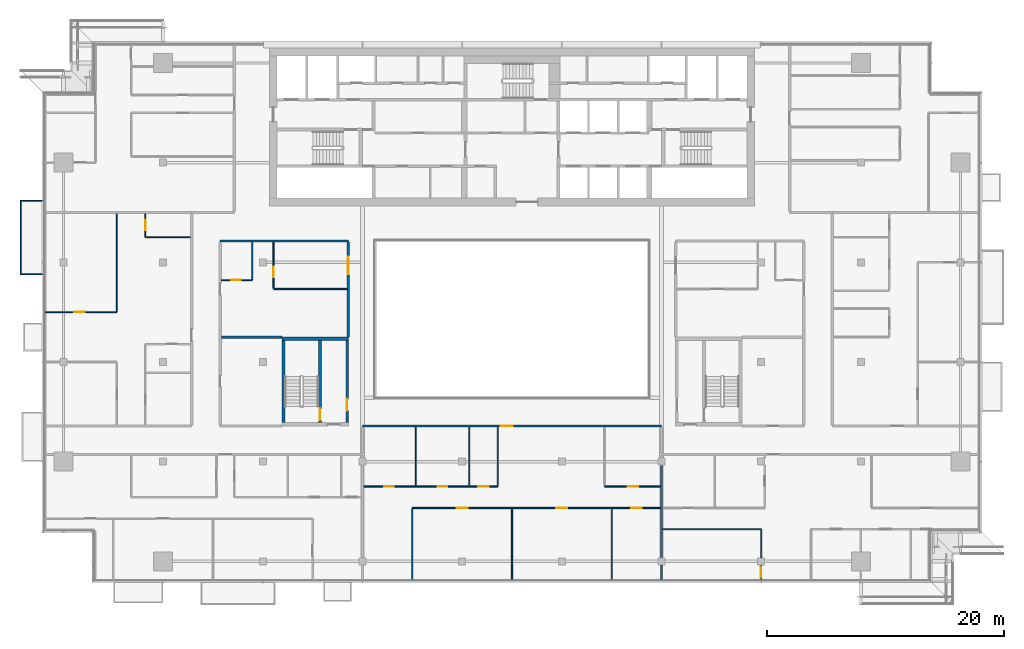
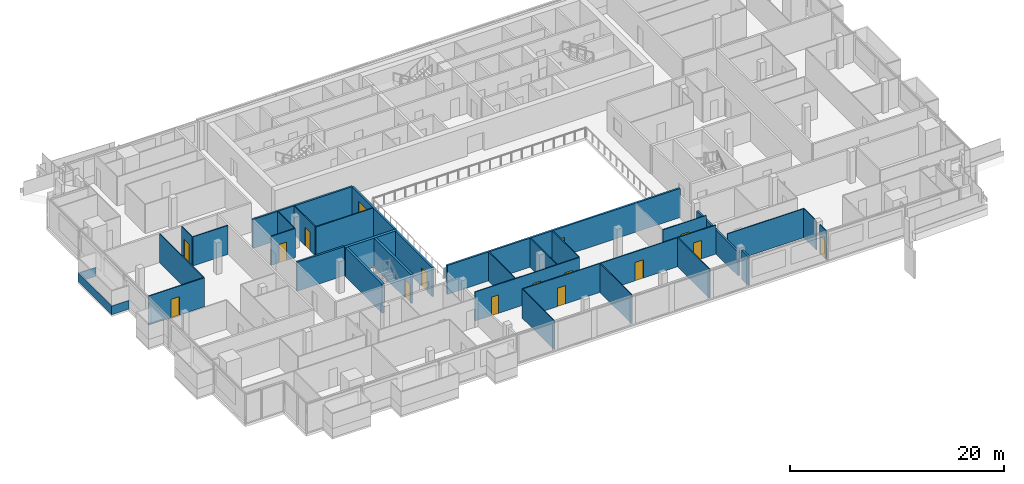
# One storey, part 18 of 30: 31 walls, 15 doors, 1 window, 16 openings.
"""IFC4 building model written with IfcOpenShell, lengths in metres."""

from ifc_helpers import new_model, si_unit, direction, frame, frame_2d, origin, place, context, subcontext, project, spatial, polyline, rectangle, outline, extrude, material, layer, layer_set, type_object, element, fill, save


model = new_model("IFC4")

# Units and contexts
model_context = context("Model", 3, precision=1e-05, world=origin(), true_north=direction((0.0, 1.0)))
body_context = subcontext(model_context, "Body", "Model", "MODEL_VIEW")
ifc_project = project(units=[si_unit("LENGTHUNIT", "METRE"), si_unit("AREAUNIT", "SQUARE_METRE"), si_unit("VOLUMEUNIT", "CUBIC_METRE"), si_unit("PLANEANGLEUNIT", "RADIAN"), si_unit("MASSUNIT", "GRAM", prefix="KILO")], contexts=[model_context])

# Site, building, storey
site_placement = place(None, origin())
site = spatial("IfcSite", under=ifc_project, at=site_placement, CompositionType="ELEMENT")
building_placement = place(site_placement, origin())
building = spatial("IfcBuilding", under=site, at=building_placement, Name="Saffron Gate Tower", CompositionType="ELEMENT")
storey_placement = place(building_placement, frame((0.0, 0.0, 216.300048828125)))
storey = spatial("IfcBuildingStorey", under=building, at=storey_placement, Name="L52", CompositionType="ELEMENT", Elevation=216.300048828125)

# Wall, opening, door
ifc_material_1 = material(Name="Gypsum board partition on steel studs", Category="steel")
ifc_layer_1 = layer(ifc_material_1, 0.199951171875)
ifc_layer_set_1 = layer_set([ifc_layer_1], Name="CW10 Core partition 200")
wall_type_1 = type_object("IfcWallType", Name="CW10 Core partition 200", PredefinedType="PARTITIONING", material=ifc_layer_set_1)
wall_1_placement = place(storey_placement, frame((73.699951171875, 43.5, 0.0), z_axis=(0.0, 0.0, 1.0), x_axis=(0.0, 1.0, 0.0)))
wall_1 = element("IfcWall", 1, at=wall_1_placement, inside=storey, type_object=wall_type_1, Name="Wall CW10-L52-D-4", PredefinedType="PARTITIONING", context=body_context, shape_type="SweptSolid", body=[
    extrude(rectangle(XDim=6.89990234375, YDim=0.199951171875, at=frame_2d((3.449951171875, 0.0))), origin(), (0.0, 0.0, 1.0), 3.320068359375),
])
opening_1_placement = place(wall_1_placement, frame((1.0, 0.0, 0.0)))
opening_1 = element("IfcOpeningElement", 2, at=opening_1_placement, cuts=wall_1, Name="Opening CR-19", PredefinedType="OPENING", context=body_context, shape_type="SweptSolid", body=[
    extrude(rectangle(XDim=1.0, YDim=2.10009765625, at=frame_2d((0.5, 1.050048828125))), frame((0.0, 0.10986328125, 0.0), z_axis=(0.0, -1.0, 0.0), x_axis=(1.0, 0.0, 0.0)), (0.0, 0.0, 1.0), 0.219970703125),
])
ifc_material_2 = material(Name="Steel fire door set", Category="steel")
door_type_1 = type_object("IfcDoorType", Name="CD4 Lobby door 1000x2100 EI 120", OperationType="NOTDEFINED", PredefinedType="DOOR", material=ifc_material_2)
door_1_placement = place(opening_1_placement, origin())
door_1 = element("IfcDoor", 3, at=door_1_placement, inside=storey, type_object=door_type_1, Name="DOOR CR-19", OperationType="SINGLE_SWING_RIGHT", OverallHeight=2.10009765625, OverallWidth=1.0, PredefinedType="DOOR", context=body_context, shape_type="SweptSolid", body=[
    extrude(rectangle(XDim=1.0, YDim=2.10009765625, at=frame_2d((0.5, 1.050048828125))), frame((0.0, 0.02490234375, 0.0), z_axis=(0.0, -1.0, 0.0), x_axis=(1.0, 0.0, 0.0)), (0.0, 0.0, 1.0), 0.050048828125),
])
fill(opening_1, door_1)

# Wall
ifc_material_3 = material(Name="Concrete C60", Category="concrete")
ifc_layer_2 = layer(ifc_material_3, 0.25)
ifc_layer_set_2 = layer_set([ifc_layer_2], Name="CW14 RC core wall 250 C60")
wall_type_2 = type_object("IfcWallType", Name="CW14 RC core wall 250 C60", PredefinedType="SOLIDWALL", material=ifc_layer_set_2)
wall_2_placement = place(storey_placement, frame((68.324951171875, 43.5, 0.0), z_axis=(0.0, 0.0, 1.0), x_axis=(0.0, 1.0, 0.0)))
element("IfcWall", 4, at=wall_2_placement, inside=storey, type_object=wall_type_2, Name="Wall CW14-L52-D-2", PredefinedType="SOLIDWALL", context=body_context, shape_type="SweptSolid", body=[
    extrude(rectangle(XDim=6.89990234375, YDim=0.25, at=frame_2d((3.449951171875, 0.0))), origin(), (0.0, 0.0, 1.0), 3.320068359375),
])

# Wall, opening, door
wall_3_placement = place(storey_placement, frame((71.425048828125, 43.5, 0.0), z_axis=(0.0, 0.0, 1.0), x_axis=(0.0, 1.0, 0.0)))
wall_3 = element("IfcWall", 5, at=wall_3_placement, inside=storey, type_object=wall_type_2, Name="Wall CW14-L52-D-3", PredefinedType="SOLIDWALL", context=body_context, shape_type="SweptSolid", body=[
    extrude(rectangle(XDim=6.89990234375, YDim=0.25, at=frame_2d((3.449951171875, 0.0))), origin(), (0.0, 0.0, 1.0), 3.320068359375),
])
opening_2_placement = place(wall_3_placement, frame((0.199951171875, 0.0, 0.0)))
opening_2 = element("IfcOpeningElement", 6, at=opening_2_placement, cuts=wall_3, Name="Opening CR-20", PredefinedType="OPENING", context=body_context, shape_type="SweptSolid", body=[
    extrude(rectangle(XDim=1.0, YDim=2.10009765625, at=frame_2d((0.5, 1.050048828125))), frame((0.0, 0.135009765625, 0.0), z_axis=(0.0, -1.0, 0.0), x_axis=(1.0, 0.0, 0.0)), (0.0, 0.0, 1.0), 0.27001953125),
])
door_type_2 = type_object("IfcDoorType", Name="CD5 Stair door 1000x2100 EI 120", OperationType="NOTDEFINED", PredefinedType="DOOR", material=ifc_material_2)
door_2_placement = place(opening_2_placement, origin())
door_2 = element("IfcDoor", 7, at=door_2_placement, inside=storey, type_object=door_type_2, Name="DOOR CR-20", OperationType="SINGLE_SWING_LEFT", OverallHeight=2.10009765625, OverallWidth=1.0, PredefinedType="DOOR", context=body_context, shape_type="SweptSolid", body=[
    extrude(rectangle(XDim=1.0, YDim=2.10009765625, at=frame_2d((0.5, 1.050048828125))), frame((0.0, 0.02490234375, 0.0), z_axis=(0.0, -1.0, 0.0), x_axis=(1.0, 0.0, 0.0)), (0.0, 0.0, 1.0), 0.050048828125),
])
fill(opening_2, door_2)

# Walls
ifc_layer_3 = layer(ifc_material_3, 0.300048828125)
ifc_layer_set_3 = layer_set([ifc_layer_3], Name="CW17 RC core wall 300 C60")
wall_type_3 = type_object("IfcWallType", Name="CW17 RC core wall 300 C60", PredefinedType="SOLIDWALL", material=ifc_layer_set_3)
wall_4_placement = place(storey_placement, frame((68.199951171875, 50.550048828125, 0.0), z_axis=(0.0, 0.0, 1.0), x_axis=(1.0, 0.0, 0.0)))
element("IfcWall", 8, at=wall_4_placement, inside=storey, type_object=wall_type_3, Name="Wall CW17-L52-D-5", PredefinedType="SOLIDWALL", context=body_context, shape_type="SweptSolid", body=[
    extrude(rectangle(XDim=5.60009765625, YDim=0.300048828125, at=frame_2d((2.800048828125, 0.0))), origin(), (0.0, 0.0, 1.0), 3.320068359375),
])
ifc_material_4 = material(Name="Plasterboard on steel studs", Category="steel")
ifc_layer_4 = layer(ifc_material_4, 0.10009765625)
ifc_layer_set_4 = layer_set([ifc_layer_4], Name="PW1 Partition 100")
wall_type_4 = type_object("IfcWallType", Name="PW1 Partition 100", PredefinedType="PARTITIONING", material=ifc_layer_set_4)
wall_5_placement = place(storey_placement, frame((100.300048828125, 34.5, 0.0), z_axis=(0.0, 0.0, 1.0), x_axis=(1.0, 0.0, 0.0)))
element("IfcWall", 9, at=wall_5_placement, inside=storey, type_object=wall_type_4, Name="Partition D2-1", PredefinedType="PARTITIONING", context=body_context, shape_type="SweptSolid", body=[
    extrude(rectangle(XDim=8.300048828125, YDim=0.10009765625, at=frame_2d((4.14990234375, 0.0))), origin(), (0.0, 0.0, 1.0), 3.320068359375),
])

# Wall, openings, doors
wall_6_placement = place(storey_placement, frame((75.10009765625, 38.10009765625, 0.0), z_axis=(0.0, 0.0, 1.0), x_axis=(1.0, 0.0, 0.0)))
wall_6 = element("IfcWall", 10, at=wall_6_placement, inside=storey, type_object=wall_type_4, Name="Partition D2-7", PredefinedType="PARTITIONING", context=body_context, shape_type="SweptSolid", body=[
    extrude(rectangle(XDim=11.2998046875, YDim=0.10009765625, at=frame_2d((5.64990234375, 0.0))), origin(), (0.0, 0.0, 1.0), 3.320068359375),
])
opening_3_placement = place(wall_6_placement, frame((1.75, 0.0, 0.0)))
opening_3 = element("IfcOpeningElement", 11, at=opening_3_placement, cuts=wall_6, Name="Opening D2-41", PredefinedType="OPENING", context=body_context, shape_type="SweptSolid", body=[
    extrude(rectangle(XDim=0.800048828125, YDim=2.10009765625, at=frame_2d((0.39990234375, 1.050048828125))), frame((0.0, 0.06005859375, 0.0), z_axis=(0.0, -1.0, 0.0), x_axis=(1.0, 0.0, 0.0)), (0.0, 0.0, 1.0), 0.1201171875),
])
opening_4_placement = place(wall_6_placement, frame((6.25, 0.0, 0.0)))
opening_4 = element("IfcOpeningElement", 12, at=opening_4_placement, cuts=wall_6, Name="Opening D2-42", PredefinedType="OPENING", context=body_context, shape_type="SweptSolid", body=[
    extrude(rectangle(XDim=0.800048828125, YDim=2.10009765625, at=frame_2d((0.39990234375, 1.050048828125))), frame((0.0, 0.06005859375, 0.0), z_axis=(0.0, -1.0, 0.0), x_axis=(1.0, 0.0, 0.0)), (0.0, 0.0, 1.0), 0.1201171875),
])
opening_5_placement = place(wall_6_placement, frame((9.64990234375, 0.0, 0.0)))
opening_5 = element("IfcOpeningElement", 13, at=opening_5_placement, cuts=wall_6, Name="Opening D2-19", PredefinedType="OPENING", context=body_context, shape_type="SweptSolid", body=[
    extrude(rectangle(XDim=0.89990234375, YDim=2.10009765625, at=frame_2d((0.449951171875, 1.050048828125))), frame((0.0, 0.06005859375, 0.0), z_axis=(0.0, -1.0, 0.0), x_axis=(1.0, 0.0, 0.0)), (0.0, 0.0, 1.0), 0.1201171875),
])
ifc_material_5 = material(Name="Timber door set", Category="wood")
door_type_3 = type_object("IfcDoorType", Name="RD1 Room door 900x2100", OperationType="NOTDEFINED", PredefinedType="DOOR", material=ifc_material_5)
door_3_placement = place(opening_5_placement, origin())
door_3 = element("IfcDoor", 14, at=door_3_placement, inside=storey, type_object=door_type_3, Name="Door D2-19", OperationType="SINGLE_SWING_RIGHT", OverallHeight=2.10009765625, OverallWidth=0.89990234375, PredefinedType="DOOR", context=body_context, shape_type="SweptSolid", body=[
    extrude(rectangle(XDim=0.89990234375, YDim=2.10009765625, at=frame_2d((0.449951171875, 1.050048828125))), frame((0.0, 0.02490234375, 0.0), z_axis=(0.0, -1.0, 0.0), x_axis=(1.0, 0.0, 0.0)), (0.0, 0.0, 1.0), 0.050048828125),
])
fill(opening_5, door_3)
door_type_4 = type_object("IfcDoorType", Name="RD2 Bathroom door 800x2100", OperationType="NOTDEFINED", PredefinedType="DOOR", material=ifc_material_5)
door_4_placement = place(opening_3_placement, origin())
door_4 = element("IfcDoor", 15, at=door_4_placement, inside=storey, type_object=door_type_4, Name="Door D2-41", OperationType="SINGLE_SWING_LEFT", OverallHeight=2.10009765625, OverallWidth=0.800048828125, PredefinedType="DOOR", context=body_context, shape_type="SweptSolid", body=[
    extrude(rectangle(XDim=0.800048828125, YDim=2.10009765625, at=frame_2d((0.39990234375, 1.050048828125))), frame((0.0, 0.02490234375, 0.0), z_axis=(0.0, -1.0, 0.0), x_axis=(1.0, 0.0, 0.0)), (0.0, 0.0, 1.0), 0.050048828125),
])
fill(opening_3, door_4)
door_5_placement = place(opening_4_placement, origin())
door_5 = element("IfcDoor", 16, at=door_5_placement, inside=storey, type_object=door_type_4, Name="Door D2-42", OperationType="SINGLE_SWING_LEFT", OverallHeight=2.10009765625, OverallWidth=0.800048828125, PredefinedType="DOOR", context=body_context, shape_type="SweptSolid", body=[
    extrude(rectangle(XDim=0.800048828125, YDim=2.10009765625, at=frame_2d((0.39990234375, 1.050048828125))), frame((0.0, 0.02490234375, 0.0), z_axis=(0.0, -1.0, 0.0), x_axis=(1.0, 0.0, 0.0)), (0.0, 0.0, 1.0), 0.050048828125),
])
fill(opening_4, door_5)

# Wall, opening, door
wall_7_placement = place(storey_placement, frame((95.39990234375, 38.10009765625, 0.0), z_axis=(0.0, 0.0, 1.0), x_axis=(1.0, 0.0, 0.0)))
wall_7 = element("IfcWall", 17, at=wall_7_placement, inside=storey, type_object=wall_type_4, Name="Partition D2-8", PredefinedType="PARTITIONING", context=body_context, shape_type="SweptSolid", body=[
    extrude(rectangle(XDim=4.7001953125, YDim=0.10009765625, at=frame_2d((2.35009765625, 0.0))), origin(), (0.0, 0.0, 1.0), 3.320068359375),
])
opening_6_placement = place(wall_7_placement, frame((1.949951171875, 0.0, 0.0)))
opening_6 = element("IfcOpeningElement", 18, at=opening_6_placement, cuts=wall_7, Name="Opening D2-18", PredefinedType="OPENING", context=body_context, shape_type="SweptSolid", body=[
    extrude(rectangle(XDim=0.89990234375, YDim=2.10009765625, at=frame_2d((0.449951171875, 1.050048828125))), frame((0.0, 0.06005859375, 0.0), z_axis=(0.0, -1.0, 0.0), x_axis=(1.0, 0.0, 0.0)), (0.0, 0.0, 1.0), 0.1201171875),
])
door_6_placement = place(opening_6_placement, origin())
door_6 = element("IfcDoor", 19, at=door_6_placement, inside=storey, type_object=door_type_3, Name="Door D2-18", OperationType="SINGLE_SWING_RIGHT", OverallHeight=2.10009765625, OverallWidth=0.89990234375, PredefinedType="DOOR", context=body_context, shape_type="SweptSolid", body=[
    extrude(rectangle(XDim=0.89990234375, YDim=2.10009765625, at=frame_2d((0.449951171875, 1.050048828125))), frame((0.0, 0.02490234375, 0.0), z_axis=(0.0, -1.0, 0.0), x_axis=(1.0, 0.0, 0.0)), (0.0, 0.0, 1.0), 0.050048828125),
])
fill(opening_6, door_6)

wall_8_placement = place(storey_placement, frame((48.280029296875, 52.800048828125, 0.0), z_axis=(0.0, 0.0, 1.0), x_axis=(1.0, 0.0, 0.0)))
wall_8 = element("IfcWall", 20, at=wall_8_placement, inside=storey, type_object=wall_type_4, Name="Partition D2-27", PredefinedType="PARTITIONING", context=body_context, shape_type="SweptSolid", body=[
    extrude(rectangle(XDim=6.02001953125, YDim=0.10009765625, at=frame_2d((3.010009765625, 0.0))), origin(), (0.0, 0.0, 1.0), 3.320068359375),
])
opening_7_placement = place(wall_8_placement, frame((2.419921875, 0.0, 0.0)))
opening_7 = element("IfcOpeningElement", 21, at=opening_7_placement, cuts=wall_8, Name="Opening D2-26", PredefinedType="OPENING", context=body_context, shape_type="SweptSolid", body=[
    extrude(rectangle(XDim=0.89990234375, YDim=2.10009765625, at=frame_2d((0.449951171875, 1.050048828125))), frame((0.0, 0.06005859375, 0.0), z_axis=(0.0, -1.0, 0.0), x_axis=(1.0, 0.0, 0.0)), (0.0, 0.0, 1.0), 0.1201171875),
])
door_7_placement = place(opening_7_placement, origin())
door_7 = element("IfcDoor", 22, at=door_7_placement, inside=storey, type_object=door_type_3, Name="Door D2-26", OperationType="SINGLE_SWING_LEFT", OverallHeight=2.10009765625, OverallWidth=0.89990234375, PredefinedType="DOOR", context=body_context, shape_type="SweptSolid", body=[
    extrude(rectangle(XDim=0.89990234375, YDim=2.10009765625, at=frame_2d((0.449951171875, 1.050048828125))), frame((0.0, 0.02490234375, 0.0), z_axis=(0.0, -1.0, 0.0), x_axis=(1.0, 0.0, 0.0)), (0.0, 0.0, 1.0), 0.050048828125),
])
fill(opening_7, door_7)

# Wall
wall_9_placement = place(storey_placement, frame((67.5, 54.75, 0.0), z_axis=(0.0, 0.0, 1.0), x_axis=(1.0, 0.0, 0.0)))
element("IfcWall", 23, at=wall_9_placement, inside=storey, type_object=wall_type_4, Name="Partition D2-30", PredefinedType="PARTITIONING", context=body_context, shape_type="SweptSolid", body=[
    extrude(rectangle(XDim=6.199951171875, YDim=0.10009765625, at=frame_2d((3.10009765625, 0.0))), origin(), (0.0, 0.0, 1.0), 3.320068359375),
])

# Wall, opening, door
wall_10_placement = place(storey_placement, frame((63.10009765625, 55.5, 0.0), z_axis=(0.0, 0.0, 1.0), x_axis=(1.0, 0.0, 0.0)))
wall_10 = element("IfcWall", 24, at=wall_10_placement, inside=storey, type_object=wall_type_4, Name="Partition D2-32", PredefinedType="PARTITIONING", context=body_context, shape_type="SweptSolid", body=[
    extrude(rectangle(XDim=2.599853515625, YDim=0.10009765625, at=frame_2d((1.2998046875, 0.0))), origin(), (0.0, 0.0, 1.0), 3.320068359375),
])
opening_8_placement = place(wall_10_placement, frame((0.85009765625, 0.0, 0.0)))
opening_8 = element("IfcOpeningElement", 25, at=opening_8_placement, cuts=wall_10, Name="Opening D2-52", PredefinedType="OPENING", context=body_context, shape_type="SweptSolid", body=[
    extrude(rectangle(XDim=0.800048828125, YDim=2.10009765625, at=frame_2d((0.39990234375, 1.050048828125))), frame((0.0, 0.06005859375, 0.0), z_axis=(0.0, -1.0, 0.0), x_axis=(1.0, 0.0, 0.0)), (0.0, 0.0, 1.0), 0.1201171875),
])
door_8_placement = place(opening_8_placement, origin())
door_8 = element("IfcDoor", 26, at=door_8_placement, inside=storey, type_object=door_type_4, Name="Door D2-52", OperationType="SINGLE_SWING_LEFT", OverallHeight=2.10009765625, OverallWidth=0.800048828125, PredefinedType="DOOR", context=body_context, shape_type="SweptSolid", body=[
    extrude(rectangle(XDim=0.800048828125, YDim=2.10009765625, at=frame_2d((0.39990234375, 1.050048828125))), frame((0.0, 0.02490234375, 0.0), z_axis=(0.0, -1.0, 0.0), x_axis=(1.0, 0.0, 0.0)), (0.0, 0.0, 1.0), 0.050048828125),
])
fill(opening_8, door_8)

# Walls
wall_11_placement = place(storey_placement, frame((56.699951171875, 59.10009765625, 0.0), z_axis=(0.0, 0.0, 1.0), x_axis=(1.0, 0.0, 0.0)))
element("IfcWall", 27, at=wall_11_placement, inside=storey, type_object=wall_type_4, Name="Partition D2-38", PredefinedType="PARTITIONING", context=body_context, shape_type="SweptSolid", body=[
    extrude(rectangle(XDim=3.800048828125, YDim=0.10009765625, at=frame_2d((1.89990234375, 0.0))), origin(), (0.0, 0.0, 1.0), 3.320068359375),
])
wall_12_placement = place(storey_placement, frame((54.300048828125, 61.10009765625, 0.0), z_axis=(0.0, 0.0, 1.0), x_axis=(0.0, -1.0, 0.0)))
element("IfcWall", 28, at=wall_12_placement, inside=storey, type_object=wall_type_4, Name="Partition D2-61", PredefinedType="PARTITIONING", context=body_context, shape_type="SweptSolid", body=[
    extrude(rectangle(XDim=8.25, YDim=0.10009765625, at=frame_2d((4.125, 0.0))), origin(), (0.0, 0.0, 1.0), 3.320068359375),
])

# Wall, opening, door
wall_13_placement = place(storey_placement, frame((56.699951171875, 61.10009765625, 0.0), z_axis=(0.0, 0.0, 1.0), x_axis=(0.0, -1.0, 0.0)))
wall_13 = element("IfcWall", 29, at=wall_13_placement, inside=storey, type_object=wall_type_4, Name="Partition D2-66", PredefinedType="PARTITIONING", context=body_context, shape_type="SweptSolid", body=[
    extrude(rectangle(XDim=1.9501953125, YDim=0.10009765625, at=frame_2d((0.97509765625, 0.0))), origin(), (0.0, 0.0, 1.0), 3.320068359375),
])
opening_9_placement = place(wall_13_placement, frame((0.5, 0.0, 0.0)))
opening_9 = element("IfcOpeningElement", 30, at=opening_9_placement, cuts=wall_13, Name="Opening D2-27", PredefinedType="OPENING", context=body_context, shape_type="SweptSolid", body=[
    extrude(rectangle(XDim=0.89990234375, YDim=2.10009765625, at=frame_2d((0.449951171875, 1.050048828125))), frame((0.0, 0.06005859375, 0.0), z_axis=(0.0, -1.0, 0.0), x_axis=(1.0, 0.0, 0.0)), (0.0, 0.0, 1.0), 0.1201171875),
])
door_9_placement = place(opening_9_placement, origin())
door_9 = element("IfcDoor", 31, at=door_9_placement, inside=storey, type_object=door_type_3, Name="Door D2-27", OperationType="SINGLE_SWING_LEFT", OverallHeight=2.10009765625, OverallWidth=0.89990234375, PredefinedType="DOOR", context=body_context, shape_type="SweptSolid", body=[
    extrude(rectangle(XDim=0.89990234375, YDim=2.10009765625, at=frame_2d((0.449951171875, 1.050048828125))), frame((0.0, 0.02490234375, 0.0), z_axis=(0.0, -1.0, 0.0), x_axis=(1.0, 0.0, 0.0)), (0.0, 0.0, 1.0), 0.050048828125),
])
fill(opening_9, door_9)

# Wall
wall_14_placement = place(storey_placement, frame((65.699951171875, 58.699951171875, 0.0), z_axis=(0.0, 0.0, 1.0), x_axis=(0.0, -1.0, 0.0)))
element("IfcWall", 32, at=wall_14_placement, inside=storey, type_object=wall_type_4, Name="Partition D2-73", PredefinedType="PARTITIONING", context=body_context, shape_type="SweptSolid", body=[
    extrude(rectangle(XDim=3.14990234375, YDim=0.10009765625, at=frame_2d((1.574951171875, 0.0))), origin(), (0.0, 0.0, 1.0), 3.320068359375),
])

# Wall, opening, door
wall_15_placement = place(storey_placement, frame((67.5, 58.699951171875, 0.0), z_axis=(0.0, 0.0, 1.0), x_axis=(0.0, -1.0, 0.0)))
wall_15 = element("IfcWall", 33, at=wall_15_placement, inside=storey, type_object=wall_type_4, Name="Partition D2-74", PredefinedType="PARTITIONING", context=body_context, shape_type="SweptSolid", body=[
    extrude(rectangle(XDim=3.89990234375, YDim=0.10009765625, at=frame_2d((1.949951171875, 0.0))), origin(), (0.0, 0.0, 1.0), 3.320068359375),
])
opening_10_placement = place(wall_15_placement, frame((2.074951171875, 0.0, 0.0)))
opening_10 = element("IfcOpeningElement", 34, at=opening_10_placement, cuts=wall_15, Name="Opening D2-37", PredefinedType="OPENING", context=body_context, shape_type="SweptSolid", body=[
    extrude(rectangle(XDim=0.89990234375, YDim=2.10009765625, at=frame_2d((0.449951171875, 1.050048828125))), frame((0.0, 0.06005859375, 0.0), z_axis=(0.0, -1.0, 0.0), x_axis=(1.0, 0.0, 0.0)), (0.0, 0.0, 1.0), 0.1201171875),
])
door_10_placement = place(opening_10_placement, origin())
door_10 = element("IfcDoor", 35, at=door_10_placement, inside=storey, type_object=door_type_3, Name="Door D2-37", OperationType="SINGLE_SWING_RIGHT", OverallHeight=2.10009765625, OverallWidth=0.89990234375, PredefinedType="DOOR", context=body_context, shape_type="SweptSolid", body=[
    extrude(rectangle(XDim=0.89990234375, YDim=2.10009765625, at=frame_2d((0.449951171875, 1.050048828125))), frame((0.0, 0.02490234375, 0.0), z_axis=(0.0, -1.0, 0.0), x_axis=(1.0, 0.0, 0.0)), (0.0, 0.0, 1.0), 0.050048828125),
])
fill(opening_10, door_10)

# Walls
wall_16_placement = place(storey_placement, frame((79.199951171875, 36.25, 0.0), z_axis=(0.0, 0.0, 1.0), x_axis=(0.0, -1.0, 0.0)))
element("IfcWall", 36, at=wall_16_placement, inside=storey, type_object=wall_type_4, Name="Partition D2-83", PredefinedType="PARTITIONING", context=body_context, shape_type="SweptSolid", body=[
    extrude(rectangle(XDim=5.969970703125, YDim=0.10009765625, at=frame_2d((2.98486328125, 0.0))), origin(), (0.0, 0.0, 1.0), 3.320068359375),
])
for number, where, z_axis, x_axis, name in (
    (37, (79.5, 43.10009765625, 0.0), (0.0, 0.0, 1.0), (0.0, -1.0, 0.0), "Partition D2-84"),
    (38, (84.0, 43.10009765625, 0.0), (0.0, 0.0, 1.0), (0.0, -1.0, 0.0), "Partition D2-85"),
    (39, (86.39990234375, 43.10009765625, 0.0), (0.0, 0.0, 1.0), (0.0, -1.0, 0.0), "Partition D2-86"),
):
    element("IfcWall", number, at=place(storey_placement, frame(where, z_axis=z_axis, x_axis=x_axis)), inside=storey, type_object=wall_type_4, Name=name, PredefinedType="PARTITIONING", context=body_context, shape_type="SweptSolid", body=[
        extrude(rectangle(XDim=4.9501953125, YDim=0.10009765625, at=frame_2d((2.47509765625, 0.0))), origin(), (0.0, 0.0, 1.0), 3.320068359375),
    ])
for number, where, z_axis, x_axis, name in (
    (40, (87.60009765625, 36.25, 0.0), (0.0, 0.0, 1.0), (0.0, -1.0, 0.0), "Partition D2-87"),
    (41, (96.0, 36.25, 0.0), (0.0, 0.0, 1.0), (0.0, -1.0, 0.0), "Partition D2-89"),
):
    element("IfcWall", number, at=place(storey_placement, frame(where, z_axis=z_axis, x_axis=x_axis)), inside=storey, type_object=wall_type_4, Name=name, PredefinedType="PARTITIONING", context=body_context, shape_type="SweptSolid", body=[
        extrude(rectangle(XDim=5.969970703125, YDim=0.10009765625, at=frame_2d((2.98486328125, 0.0))), origin(), (0.0, 0.0, 1.0), 3.320068359375),
    ])

# Wall, opening, door
wall_17_placement = place(storey_placement, frame((108.60009765625, 30.280029296875, 0.0), z_axis=(0.0, 0.0, 1.0), x_axis=(0.0, 1.0, 0.0)))
wall_17 = element("IfcWall", 42, at=wall_17_placement, inside=storey, type_object=wall_type_4, Name="Partition D2-98", PredefinedType="PARTITIONING", context=body_context, shape_type="SweptSolid", body=[
    extrude(rectangle(XDim=1.199951171875, YDim=0.10009765625, at=frame_2d((0.60009765625, 0.0))), origin(), (0.0, 0.0, 1.0), 3.320068359375),
])
opening_11_placement = place(wall_17_placement, frame((0.14990234375, 0.0, 0.0)))
opening_11 = element("IfcOpeningElement", 43, at=opening_11_placement, cuts=wall_17, Name="Opening D2-20", PredefinedType="OPENING", context=body_context, shape_type="SweptSolid", body=[
    extrude(rectangle(XDim=0.89990234375, YDim=2.10009765625, at=frame_2d((0.449951171875, 1.050048828125))), frame((0.0, 0.06005859375, 0.0), z_axis=(0.0, -1.0, 0.0), x_axis=(1.0, 0.0, 0.0)), (0.0, 0.0, 1.0), 0.1201171875),
])
door_11_placement = place(opening_11_placement, origin())
door_11 = element("IfcDoor", 44, at=door_11_placement, inside=storey, type_object=door_type_3, Name="Door D2-20", OperationType="SINGLE_SWING_LEFT", OverallHeight=2.10009765625, OverallWidth=0.89990234375, PredefinedType="DOOR", context=body_context, shape_type="SweptSolid", body=[
    extrude(rectangle(XDim=0.89990234375, YDim=2.10009765625, at=frame_2d((0.449951171875, 1.050048828125))), frame((0.0, 0.02490234375, 0.0), z_axis=(0.0, -1.0, 0.0), x_axis=(1.0, 0.0, 0.0)), (0.0, 0.0, 1.0), 0.050048828125),
])
fill(opening_11, door_11)

# Wall
wall_18_placement = place(storey_placement, frame((108.60009765625, 34.449951171875, 0.0), z_axis=(0.0, 0.0, 1.0), x_axis=(0.0, -1.0, 0.0)))
element("IfcWall", 45, at=wall_18_placement, inside=storey, type_object=wall_type_4, Name="Partition D2-99", PredefinedType="PARTITIONING", context=body_context, shape_type="SweptSolid", body=[
    extrude(rectangle(XDim=2.329833984375, YDim=0.10009765625, at=frame_2d((1.1650390625, 0.0))), origin(), (0.0, 0.0, 1.0), 3.320068359375),
])

# Wall, openings, doors
wall_19_placement = place(storey_placement, frame((100.10009765625, 36.300048828125, 0.0), z_axis=(0.0, 0.0, 1.0), x_axis=(-1.0, 0.0, 0.0)))
wall_19 = element("IfcWall", 46, at=wall_19_placement, inside=storey, type_object=wall_type_4, Name="Partition D2-117", PredefinedType="PARTITIONING", context=body_context, shape_type="SweptSolid", body=[
    extrude(rectangle(XDim=20.900146484375, YDim=0.10009765625, at=frame_2d((10.4501953125, 0.0))), origin(), (0.0, 0.0, 1.0), 3.320068359375),
])
opening_12_placement = place(wall_19_placement, frame((1.550048828125, 0.0, 0.0)))
opening_12 = element("IfcOpeningElement", 47, at=opening_12_placement, cuts=wall_19, Name="Opening D2-17", PredefinedType="OPENING", context=body_context, shape_type="SweptSolid", body=[
    extrude(rectangle(XDim=0.89990234375, YDim=2.10009765625, at=frame_2d((0.449951171875, 1.050048828125))), frame((0.0, 0.06005859375, 0.0), z_axis=(0.0, -1.0, 0.0), x_axis=(1.0, 0.0, 0.0)), (0.0, 0.0, 1.0), 0.1201171875),
])
opening_13_placement = place(wall_19_placement, frame((7.85009765625, 0.0, 0.0)))
opening_13 = element("IfcOpeningElement", 48, at=opening_13_placement, cuts=wall_19, Name="Opening D2-16", PredefinedType="OPENING", context=body_context, shape_type="SweptSolid", body=[
    extrude(rectangle(XDim=0.89990234375, YDim=2.10009765625, at=frame_2d((0.449951171875, 1.050048828125))), frame((0.0, 0.06005859375, 0.0), z_axis=(0.0, -1.0, 0.0), x_axis=(1.0, 0.0, 0.0)), (0.0, 0.0, 1.0), 0.1201171875),
])
opening_14_placement = place(wall_19_placement, frame((16.25, 0.0, 0.0)))
opening_14 = element("IfcOpeningElement", 49, at=opening_14_placement, cuts=wall_19, Name="Opening D2-15", PredefinedType="OPENING", context=body_context, shape_type="SweptSolid", body=[
    extrude(rectangle(XDim=0.89990234375, YDim=2.10009765625, at=frame_2d((0.449951171875, 1.050048828125))), frame((0.0, 0.06005859375, 0.0), z_axis=(0.0, -1.0, 0.0), x_axis=(1.0, 0.0, 0.0)), (0.0, 0.0, 1.0), 0.1201171875),
])
door_12_placement = place(opening_12_placement, origin())
door_12 = element("IfcDoor", 50, at=door_12_placement, inside=storey, type_object=door_type_3, Name="Door D2-17", OperationType="SINGLE_SWING_LEFT", OverallHeight=2.10009765625, OverallWidth=0.89990234375, PredefinedType="DOOR", context=body_context, shape_type="SweptSolid", body=[
    extrude(rectangle(XDim=0.89990234375, YDim=2.10009765625, at=frame_2d((0.449951171875, 1.050048828125))), frame((0.0, 0.02490234375, 0.0), z_axis=(0.0, -1.0, 0.0), x_axis=(1.0, 0.0, 0.0)), (0.0, 0.0, 1.0), 0.050048828125),
])
fill(opening_12, door_12)
door_13_placement = place(opening_13_placement, origin())
door_13 = element("IfcDoor", 51, at=door_13_placement, inside=storey, type_object=door_type_3, Name="Door D2-16", OperationType="SINGLE_SWING_RIGHT", OverallHeight=2.10009765625, OverallWidth=0.89990234375, PredefinedType="DOOR", context=body_context, shape_type="SweptSolid", body=[
    extrude(rectangle(XDim=0.89990234375, YDim=2.10009765625, at=frame_2d((0.449951171875, 1.050048828125))), frame((0.0, 0.02490234375, 0.0), z_axis=(0.0, -1.0, 0.0), x_axis=(1.0, 0.0, 0.0)), (0.0, 0.0, 1.0), 0.050048828125),
])
fill(opening_13, door_13)
door_14_placement = place(opening_14_placement, origin())
door_14 = element("IfcDoor", 52, at=door_14_placement, inside=storey, type_object=door_type_3, Name="Door D2-15", OperationType="SINGLE_SWING_RIGHT", OverallHeight=2.10009765625, OverallWidth=0.89990234375, PredefinedType="DOOR", context=body_context, shape_type="SweptSolid", body=[
    extrude(rectangle(XDim=0.89990234375, YDim=2.10009765625, at=frame_2d((0.449951171875, 1.050048828125))), frame((0.0, 0.02490234375, 0.0), z_axis=(0.0, -1.0, 0.0), x_axis=(1.0, 0.0, 0.0)), (0.0, 0.0, 1.0), 0.050048828125),
])
fill(opening_14, door_14)

# Walls
ifc_material_6 = material(Name="Clay brick masonry, rendered", Category="masonry")
ifc_layer_5 = layer(ifc_material_6, 0.199951171875)
ifc_layer_set_5 = layer_set([ifc_layer_5], Name="PW2 Demising wall 200")
wall_type_5 = type_object("IfcWallType", Name="PW2 Demising wall 200", PredefinedType="PARTITIONING", material=ifc_layer_set_5)
wall_20_placement = place(storey_placement, frame((63.10009765625, 50.699951171875, 0.0), z_axis=(0.0, 0.0, 1.0), x_axis=(1.0, 0.0, 0.0)))
element("IfcWall", 53, at=wall_20_placement, inside=storey, type_object=wall_type_5, Name="Wall D2-24", PredefinedType="PARTITIONING", context=body_context, shape_type="SweptSolid", body=[
    extrude(rectangle(XDim=5.099853515625, YDim=0.199951171875, at=frame_2d((2.5498046875, 0.0))), origin(), (0.0, 0.0, 1.0), 3.320068359375),
])
wall_21_placement = place(storey_placement, frame((100.199951171875, 31.47998046875, 0.0), z_axis=(0.0, 0.0, 1.0), x_axis=(0.0, -1.0, 0.0)))
element("IfcWall", 54, at=wall_21_placement, inside=storey, type_object=wall_type_5, Name="Wall D2-91", PredefinedType="PARTITIONING", context=body_context, shape_type="SweptSolid", body=[
    extrude(rectangle(XDim=1.199951171875, YDim=0.199951171875, at=frame_2d((0.60009765625, 0.0))), origin(), (0.0, 0.0, 1.0), 3.320068359375),
])
wall_22_placement = place(storey_placement, frame((100.199951171875, 39.8798828125, 0.0), z_axis=(0.0, 0.0, 1.0), x_axis=(0.0, -1.0, 0.0)))
element("IfcWall", 55, at=wall_22_placement, inside=storey, type_object=wall_type_5, Name="Wall D2-92", PredefinedType="PARTITIONING", context=body_context, shape_type="SweptSolid", body=[
    extrude(rectangle(XDim=7.759765625, YDim=0.199951171875, at=frame_2d((3.8798828125, 0.0))), origin(), (0.0, 0.0, 1.0), 2.719970703125),
])

# Wall, opening, door
ifc_layer_6 = layer(ifc_material_6, 0.199951171875)
ifc_layer_set_6 = layer_set([ifc_layer_6], Name="PW3 Corridor wall 200")
wall_type_6 = type_object("IfcWallType", Name="PW3 Corridor wall 200", PredefinedType="PARTITIONING", material=ifc_layer_set_6)
wall_23_placement = place(storey_placement, frame((100.199951171875, 43.199951171875, 0.0), z_axis=(0.0, 0.0, 1.0), x_axis=(-1.0, 0.0, 0.0)))
wall_23 = element("IfcWall", 56, at=wall_23_placement, inside=storey, type_object=wall_type_6, Name="Wall D2-15", PredefinedType="PARTITIONING", context=body_context, shape_type="SweptSolid", body=[
    extrude(rectangle(XDim=25.199951171875, YDim=0.199951171875, at=frame_2d((12.60009765625, 0.0))), origin(), (0.0, 0.0, 1.0), 3.320068359375),
])
opening_15_placement = place(wall_23_placement, frame((12.550048828125, 0.0, 0.0)))
opening_15 = element("IfcOpeningElement", 57, at=opening_15_placement, cuts=wall_23, Name="Opening D2-2", PredefinedType="OPENING", context=body_context, shape_type="SweptSolid", body=[
    extrude(rectangle(XDim=1.0, YDim=2.10009765625, at=frame_2d((0.5, 1.050048828125))), frame((0.0, 0.10986328125, 0.0), z_axis=(0.0, -1.0, 0.0), x_axis=(1.0, 0.0, 0.0)), (0.0, 0.0, 1.0), 0.219970703125),
])
ifc_material_7 = material(Name="Timber fire door set", Category="wood")
door_type_5 = type_object("IfcDoorType", Name="FD1 Flat entry door 1000x2100", OperationType="NOTDEFINED", PredefinedType="DOOR", material=ifc_material_7)
door_15_placement = place(opening_15_placement, origin())
door_15 = element("IfcDoor", 58, at=door_15_placement, inside=storey, type_object=door_type_5, Name="Door D2-2", OperationType="SINGLE_SWING_RIGHT", OverallHeight=2.10009765625, OverallWidth=1.0, PredefinedType="DOOR", context=body_context, shape_type="SweptSolid", body=[
    extrude(rectangle(XDim=1.0, YDim=2.10009765625, at=frame_2d((0.5, 1.050048828125))), frame((0.0, 0.02490234375, 0.0), z_axis=(0.0, -1.0, 0.0), x_axis=(1.0, 0.0, 0.0)), (0.0, 0.0, 1.0), 0.050048828125),
])
fill(opening_15, door_15)

# Wall
wall_24_placement = place(storey_placement, frame((63.0, 58.800048828125, 0.0), z_axis=(0.0, 0.0, 1.0), x_axis=(1.0, 0.0, 0.0)))
element("IfcWall", 59, at=wall_24_placement, inside=storey, type_object=wall_type_6, Name="Wall D2-36", PredefinedType="PARTITIONING", context=body_context, shape_type="SweptSolid", body=[
    extrude(rectangle(XDim=10.800048828125, YDim=0.199951171875, at=frame_2d((5.39990234375, 0.0))), origin(), (0.0, 0.0, 1.0), 3.320068359375),
])

# Wall, opening, window
wall_25_placement = place(storey_placement, frame((73.800048828125, 58.699951171875, 0.0), z_axis=(0.0, 0.0, 1.0), x_axis=(0.0, -1.0, 0.0)))
wall_25 = element("IfcWall", 60, at=wall_25_placement, inside=storey, type_object=wall_type_6, Name="Wall D2-78", PredefinedType="PARTITIONING", context=body_context, shape_type="SweptSolid", body=[
    extrude(rectangle(XDim=8.0, YDim=0.199951171875, at=frame_2d((4.0, 0.0))), origin(), (0.0, 0.0, 1.0), 3.320068359375),
])
opening_16_placement = place(wall_25_placement, frame((1.22509765625, 0.0, 0.89990234375)))
opening_16 = element("IfcOpeningElement", 61, at=opening_16_placement, cuts=wall_25, Name="Opening GW1", PredefinedType="OPENING", context=body_context, shape_type="SweptSolid", body=[
    extrude(rectangle(XDim=1.5, YDim=1.5, at=frame_2d((0.75, 0.75))), frame((0.0, 0.10986328125, 0.0), z_axis=(0.0, -1.0, 0.0), x_axis=(1.0, 0.0, 0.0)), (0.0, 0.0, 1.0), 0.219970703125),
])
ifc_material_8 = material(Name="Fire-resisting laminated glass in steel frame", Category="steel")
ifc_layer_7 = layer(ifc_material_8, 0.06005859375)
ifc_layer_set_7 = layer_set([ifc_layer_7], Name="GW1 Gallery window 1500x1500")
window_type = type_object("IfcWindowType", Name="GW1 Gallery window 1500x1500", PartitioningType="SINGLE_PANEL", PredefinedType="WINDOW", material=ifc_layer_set_7)
window_placement = place(opening_16_placement, origin())
window = element("IfcWindow", 62, at=window_placement, inside=storey, type_object=window_type, Name="GW1 window D2-H-B1", OverallHeight=1.5, OverallWidth=1.5, PartitioningType="SINGLE_PANEL", PredefinedType="WINDOW", context=body_context, shape_type="SweptSolid", body=[
    extrude(rectangle(XDim=1.5, YDim=1.5, at=frame_2d((0.75, 0.75))), frame((0.0, 0.030029296875, 0.0), z_axis=(0.0, -1.0, 0.0), x_axis=(1.0, 0.0, 0.0)), (0.0, 0.0, 1.0), 0.06005859375),
])
fill(opening_16, window)

# Wall
ifc_material_9 = material(Name="Rendered insulated panel, white")
ifc_layer_8 = layer(ifc_material_9, 0.10009765625)
ifc_layer_set_8 = layer_set([ifc_layer_8], Name="WB3 box parapet white")
wall_type_7 = type_object("IfcWallType", Name="WB3 box parapet white", PredefinedType="SOLIDWALL", material=ifc_layer_set_8)
wall_26_placement = place(storey_placement, origin())
element("IfcWall", 63, at=wall_26_placement, inside=storey, type_object=wall_type_7, Name="WINDOW BOX parapet", PredefinedType="SOLIDWALL", context=body_context, shape_type="SweptSolid", body=[
    extrude(outline(polyline([(48.0, 62.25), (48.0, 62.14990234375), (46.23291015625, 62.14990234375), (46.23291015625, 56.050048828125), (48.0, 56.050048828125), (48.0, 55.949951171875), (46.133056640625, 55.949951171875), (46.133056640625, 62.25), (48.0, 62.25)])), origin(), (0.0, 0.0, 1.0), 1.0),
])

save(model, "model.ifc")
